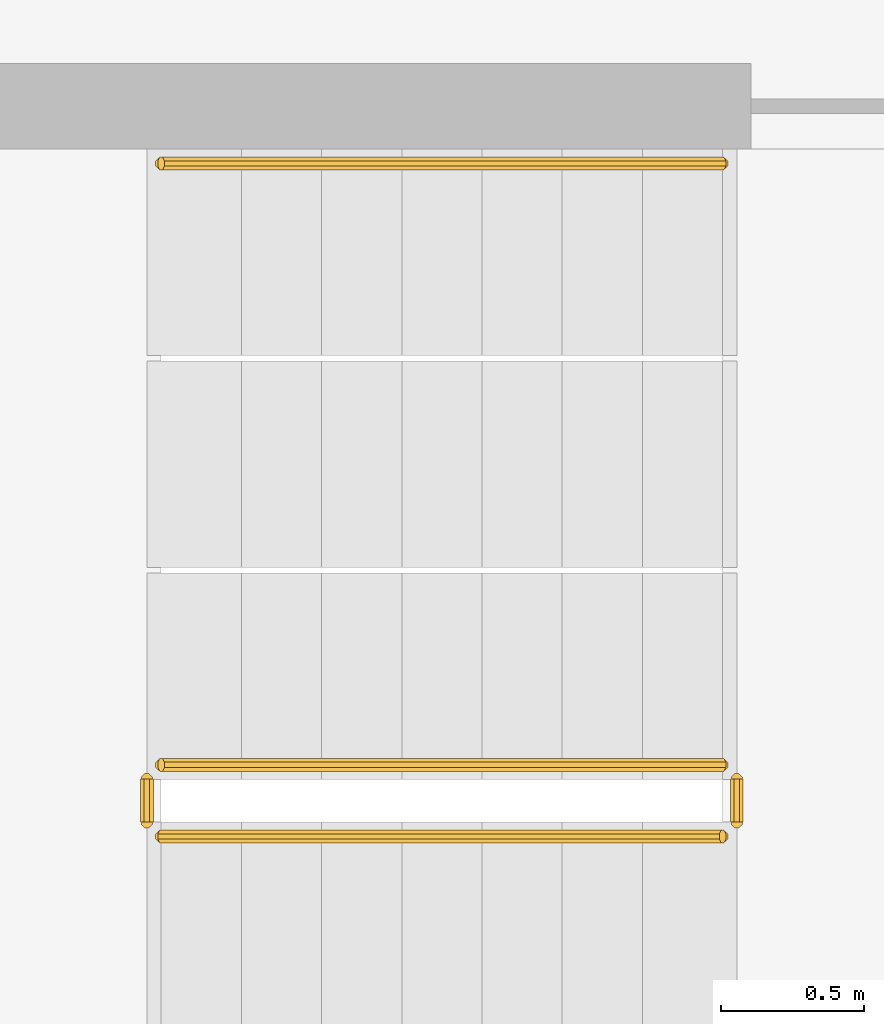
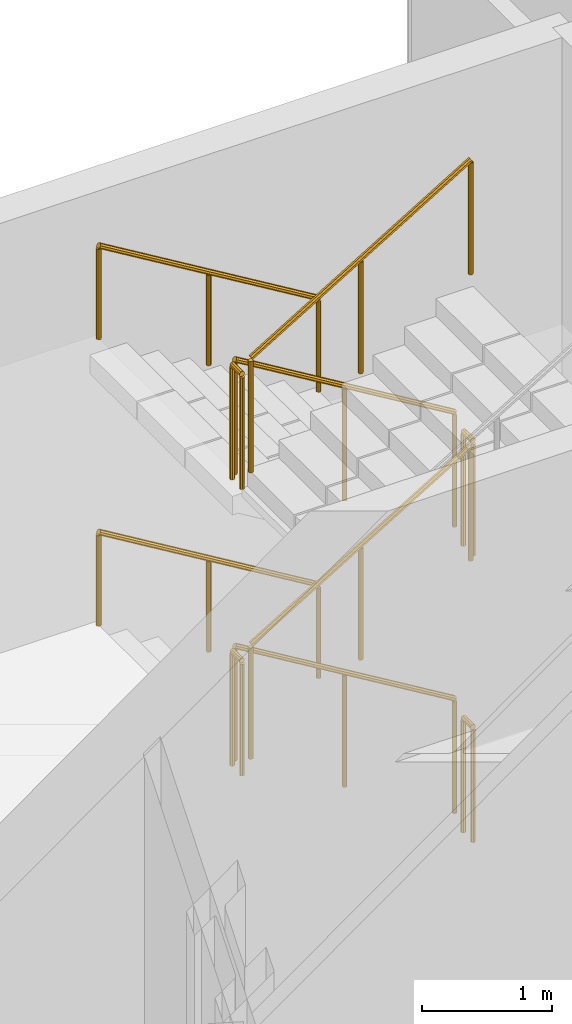
# One storey, part 21 of 31: 10 railings.
"""IFC4 building model written with IfcOpenShell, lengths in metres."""

from ifc_helpers import new_model, si_unit, direction, frame, origin, place, context, subcontext, project, spatial, polyline, outline, extrude, material, type_object, element, save


model = new_model("IFC4")

# Units and contexts
model_context = context("Model", 3, precision=1e-05, world=origin(), true_north=direction((0.0, 1.0)))
body_context = subcontext(model_context, "Body", "Model", "MODEL_VIEW")
ifc_project = project(units=[si_unit("LENGTHUNIT", "METRE"), si_unit("AREAUNIT", "SQUARE_METRE"), si_unit("VOLUMEUNIT", "CUBIC_METRE"), si_unit("PLANEANGLEUNIT", "RADIAN"), si_unit("MASSUNIT", "GRAM", prefix="KILO")], contexts=[model_context])

# Site, building, storey
site_placement = place(None, origin())
site = spatial("IfcSite", under=ifc_project, at=site_placement, CompositionType="ELEMENT")
building_placement = place(site_placement, origin())
building = spatial("IfcBuilding", under=site, at=building_placement, Name="Cormorant Relay Tower", CompositionType="ELEMENT")
storey_placement = place(building_placement, frame((0.0, 0.0, 33.800048828125)))
storey = spatial("IfcBuildingStorey", under=building, at=storey_placement, Name="L06", CompositionType="ELEMENT", Elevation=33.800048828125)

# Railings
ifc_material_1 = material(Name="Steel ASTM A572 Grade 50 (Fy 345 MPa)", Category="steel")
railing_type_1 = type_object("IfcRailingType", Name="Stair guard 1100", PredefinedType="GUARDRAIL", material=ifc_material_1)
railing_1_placement = place(storey_placement, frame((1.60009765625, -18.27490234375, 0.168701171875)))
element("IfcRailing", 1, at=railing_1_placement, inside=storey, type_object=railing_type_1, Name="L06 RK1 stair guard 1", PredefinedType="GUARDRAIL", context=body_context, shape_type="SweptSolid", body=[
    extrude(outline(polyline([(0.022216796875, 0.00927734375), (0.00927734375, 0.022216796875), (-0.00927734375, 0.022216796875), (-0.022216796875, 0.00927734375), (-0.022216796875, -0.00927734375), (-0.00927734375, -0.022216796875), (0.00927734375, -0.022216796875), (0.022216796875, -0.00927734375), (0.022216796875, 0.00927734375)])), frame((0.0, 0.0, 1.076171875), z_axis=(-0.856521883693, 0.0, 0.516110707847), x_axis=(0.0, -1.0, 0.0)), (0.0, 0.0, 1.0), 2.28857421875),
    extrude(outline(polyline([(0.019287109375, 0.008056640625), (0.008056640625, 0.019287109375), (-0.008056640625, 0.019287109375), (-0.019287109375, 0.008056640625), (-0.019287109375, -0.008056640625), (-0.008056640625, -0.019287109375), (0.008056640625, -0.019287109375), (0.019287109375, -0.008056640625), (0.019287109375, 0.008056640625)])), origin(), (0.0, 0.0, 1.0), 1.052001953125),
    extrude(outline(polyline([(0.019287109375, 0.008056640625), (0.008056640625, 0.019287109375), (-0.008056640625, 0.019287109375), (-0.019287109375, 0.008056640625), (-0.019287109375, -0.008056640625), (-0.008056640625, -0.019287109375), (0.008056640625, -0.019287109375), (0.019287109375, -0.008056640625), (0.019287109375, 0.008056640625)])), frame((-0.97998046875, 0.0, 0.590576171875)), (0.0, 0.0, 1.0), 1.052001953125),
    extrude(outline(polyline([(0.019287109375, 0.008056640625), (0.008056640625, 0.019287109375), (-0.008056640625, 0.019287109375), (-0.019287109375, 0.008056640625), (-0.019287109375, -0.008056640625), (-0.008056640625, -0.019287109375), (0.008056640625, -0.019287109375), (0.019287109375, -0.008056640625), (0.019287109375, 0.008056640625)])), frame((-1.960205078125, 0.0, 1.18115234375)), (0.0, 0.0, 1.0), 1.052001953125),
])
railing_2_placement = place(storey_placement, frame((-0.409912109375, -18.324951171875, 1.349853515625)))
element("IfcRailing", 2, at=railing_2_placement, inside=storey, type_object=railing_type_1, Name="L06 RK1 stair guard 2", PredefinedType="GUARDRAIL", context=body_context, shape_type="SweptSolid", body=[
    extrude(outline(polyline([(0.022216796875, 0.00927734375), (0.00927734375, 0.022216796875), (-0.00927734375, 0.022216796875), (-0.022216796875, 0.00927734375), (-0.022216796875, -0.00927734375), (-0.00927734375, -0.022216796875), (0.00927734375, -0.022216796875), (0.022216796875, -0.00927734375), (0.022216796875, 0.00927734375)])), frame((0.0, 0.0, 1.076171875), z_axis=(0.0, -1.0, 0.0), x_axis=(1.0, 0.0, 0.0)), (0.0, 0.0, 1.0), 0.150146484375),
    extrude(outline(polyline([(0.019287109375, 0.008056640625), (0.008056640625, 0.019287109375), (-0.008056640625, 0.019287109375), (-0.019287109375, 0.008056640625), (-0.019287109375, -0.008056640625), (-0.008056640625, -0.019287109375), (0.008056640625, -0.019287109375), (0.019287109375, -0.008056640625), (0.019287109375, 0.008056640625)])), origin(), (0.0, 0.0, 1.0), 1.052001953125),
    extrude(outline(polyline([(0.019287109375, 0.008056640625), (0.008056640625, 0.019287109375), (-0.008056640625, 0.019287109375), (-0.019287109375, 0.008056640625), (-0.019287109375, -0.008056640625), (-0.008056640625, -0.019287109375), (0.008056640625, -0.019287109375), (0.019287109375, -0.008056640625), (0.019287109375, 0.008056640625)])), frame((0.0, -0.150146484375, 0.0)), (0.0, 0.0, 1.0), 1.052001953125),
])
railing_3_placement = place(storey_placement, frame((-0.360107421875, -18.52490234375, 1.518798828125)))
element("IfcRailing", 3, at=railing_3_placement, inside=storey, type_object=railing_type_1, Name="L06 RK1 stair guard 3", PredefinedType="GUARDRAIL", context=body_context, shape_type="SweptSolid", body=[
    extrude(outline(polyline([(0.022216796875, 0.00927734375), (0.00927734375, 0.022216796875), (-0.00927734375, 0.022216796875), (-0.022216796875, 0.00927734375), (-0.022216796875, -0.00927734375), (-0.00927734375, -0.022216796875), (0.00927734375, -0.022216796875), (0.022216796875, -0.00927734375), (0.022216796875, 0.00927734375)])), frame((0.0, 0.0, 1.076171875), z_axis=(0.856521883693, 0.0, 0.516110707847), x_axis=(0.0, 1.0, 0.0)), (0.0, 0.0, 1.0), 2.28857421875),
    extrude(outline(polyline([(0.019287109375, 0.008056640625), (0.008056640625, 0.019287109375), (-0.008056640625, 0.019287109375), (-0.019287109375, 0.008056640625), (-0.019287109375, -0.008056640625), (-0.008056640625, -0.019287109375), (0.008056640625, -0.019287109375), (0.019287109375, -0.008056640625), (0.019287109375, 0.008056640625)])), origin(), (0.0, 0.0, 1.0), 1.052001953125),
    extrude(outline(polyline([(0.019287109375, 0.008056640625), (0.008056640625, 0.019287109375), (-0.008056640625, 0.019287109375), (-0.019287109375, 0.008056640625), (-0.019287109375, -0.008056640625), (-0.008056640625, -0.019287109375), (0.008056640625, -0.019287109375), (0.019287109375, -0.008056640625), (0.019287109375, 0.008056640625)])), frame((0.97998046875, 0.0, 0.590576171875)), (0.0, 0.0, 1.0), 1.052001953125),
    extrude(outline(polyline([(0.019287109375, 0.008056640625), (0.008056640625, 0.019287109375), (-0.008056640625, 0.019287109375), (-0.019287109375, 0.008056640625), (-0.019287109375, -0.008056640625), (-0.008056640625, -0.019287109375), (0.008056640625, -0.019287109375), (0.019287109375, -0.008056640625), (0.019287109375, 0.008056640625)])), frame((1.960205078125, 0.0, 1.18115234375)), (0.0, 0.0, 1.0), 1.052001953125),
])
railing_4_placement = place(storey_placement, frame((1.64990234375, -18.324951171875, 2.699951171875)))
element("IfcRailing", 4, at=railing_4_placement, inside=storey, type_object=railing_type_1, Name="L06 RK1 stair guard 4", PredefinedType="GUARDRAIL", context=body_context, shape_type="SweptSolid", body=[
    extrude(outline(polyline([(0.022216796875, 0.00927734375), (0.00927734375, 0.022216796875), (-0.00927734375, 0.022216796875), (-0.022216796875, 0.00927734375), (-0.022216796875, -0.00927734375), (-0.00927734375, -0.022216796875), (0.00927734375, -0.022216796875), (0.022216796875, -0.00927734375), (0.022216796875, 0.00927734375)])), frame((0.0, 0.0, 1.076171875), z_axis=(0.0, -1.0, 0.0), x_axis=(1.0, 0.0, 0.0)), (0.0, 0.0, 1.0), 0.150146484375),
    extrude(outline(polyline([(0.019287109375, 0.008056640625), (0.008056640625, 0.019287109375), (-0.008056640625, 0.019287109375), (-0.019287109375, 0.008056640625), (-0.019287109375, -0.008056640625), (-0.008056640625, -0.019287109375), (0.008056640625, -0.019287109375), (0.019287109375, -0.008056640625), (0.019287109375, 0.008056640625)])), origin(), (0.0, 0.0, 1.0), 1.052001953125),
    extrude(outline(polyline([(0.019287109375, 0.008056640625), (0.008056640625, 0.019287109375), (-0.008056640625, 0.019287109375), (-0.019287109375, 0.008056640625), (-0.019287109375, -0.008056640625), (-0.008056640625, -0.019287109375), (0.008056640625, -0.019287109375), (0.019287109375, -0.008056640625), (0.019287109375, 0.008056640625)])), frame((0.0, -0.150146484375, 0.0)), (0.0, 0.0, 1.0), 1.052001953125),
])
railing_5_placement = place(storey_placement, frame((1.60009765625, -18.27490234375, 2.86865234375)))
element("IfcRailing", 5, at=railing_5_placement, inside=storey, type_object=railing_type_1, Name="L06 RK1 stair guard 5", PredefinedType="GUARDRAIL", context=body_context, shape_type="SweptSolid", body=[
    extrude(outline(polyline([(0.022216796875, 0.00927734375), (0.00927734375, 0.022216796875), (-0.00927734375, 0.022216796875), (-0.022216796875, 0.00927734375), (-0.022216796875, -0.00927734375), (-0.00927734375, -0.022216796875), (0.00927734375, -0.022216796875), (0.022216796875, -0.00927734375), (0.022216796875, 0.00927734375)])), frame((0.0, 0.0, 1.076171875), z_axis=(-0.856474724393, 0.0, 0.516188963923), x_axis=(0.0, -1.0, 0.0)), (0.0, 0.0, 1.0), 2.28857421875),
    extrude(outline(polyline([(0.019287109375, 0.008056640625), (0.008056640625, 0.019287109375), (-0.008056640625, 0.019287109375), (-0.019287109375, 0.008056640625), (-0.019287109375, -0.008056640625), (-0.008056640625, -0.019287109375), (0.008056640625, -0.019287109375), (0.019287109375, -0.008056640625), (0.019287109375, 0.008056640625)])), origin(), (0.0, 0.0, 1.0), 1.052001953125),
    extrude(outline(polyline([(0.019287109375, 0.008056640625), (0.008056640625, 0.019287109375), (-0.008056640625, 0.019287109375), (-0.019287109375, 0.008056640625), (-0.019287109375, -0.008056640625), (-0.008056640625, -0.019287109375), (0.008056640625, -0.019287109375), (0.019287109375, -0.008056640625), (0.019287109375, 0.008056640625)])), frame((-0.97998046875, 0.0, 0.5908203125)), (0.0, 0.0, 1.0), 1.052001953125),
    extrude(outline(polyline([(0.019287109375, 0.008056640625), (0.008056640625, 0.019287109375), (-0.008056640625, 0.019287109375), (-0.019287109375, 0.008056640625), (-0.019287109375, -0.008056640625), (-0.008056640625, -0.019287109375), (0.008056640625, -0.019287109375), (0.019287109375, -0.008056640625), (0.019287109375, 0.008056640625)])), frame((-1.960205078125, 0.0, 1.181396484375)), (0.0, 0.0, 1.0), 1.052001953125),
])
railing_6_placement = place(storey_placement, frame((-0.409912109375, -18.324951171875, 4.050048828125)))
element("IfcRailing", 6, at=railing_6_placement, inside=storey, type_object=railing_type_1, Name="L06 RK1 stair guard 6", PredefinedType="GUARDRAIL", context=body_context, shape_type="SweptSolid", body=[
    extrude(outline(polyline([(0.022216796875, 0.00927734375), (0.00927734375, 0.022216796875), (-0.00927734375, 0.022216796875), (-0.022216796875, 0.00927734375), (-0.022216796875, -0.00927734375), (-0.00927734375, -0.022216796875), (0.00927734375, -0.022216796875), (0.022216796875, -0.00927734375), (0.022216796875, 0.00927734375)])), frame((0.0, 0.0, 1.076171875), z_axis=(0.0, -1.0, 0.0), x_axis=(1.0, 0.0, 0.0)), (0.0, 0.0, 1.0), 0.150146484375),
    extrude(outline(polyline([(0.019287109375, 0.008056640625), (0.008056640625, 0.019287109375), (-0.008056640625, 0.019287109375), (-0.019287109375, 0.008056640625), (-0.019287109375, -0.008056640625), (-0.008056640625, -0.019287109375), (0.008056640625, -0.019287109375), (0.019287109375, -0.008056640625), (0.019287109375, 0.008056640625)])), origin(), (0.0, 0.0, 1.0), 1.052001953125),
    extrude(outline(polyline([(0.019287109375, 0.008056640625), (0.008056640625, 0.019287109375), (-0.008056640625, 0.019287109375), (-0.019287109375, 0.008056640625), (-0.019287109375, -0.008056640625), (-0.008056640625, -0.019287109375), (0.008056640625, -0.019287109375), (0.019287109375, -0.008056640625), (0.019287109375, 0.008056640625)])), frame((0.0, -0.150146484375, 0.0)), (0.0, 0.0, 1.0), 1.052001953125),
])
railing_7_placement = place(storey_placement, frame((-0.360107421875, -18.52490234375, 4.21875)))
element("IfcRailing", 7, at=railing_7_placement, inside=storey, type_object=railing_type_1, Name="L06 RK1 stair guard 7", PredefinedType="GUARDRAIL", context=body_context, shape_type="SweptSolid", body=[
    extrude(outline(polyline([(0.022216796875, 0.00927734375), (0.00927734375, 0.022216796875), (-0.00927734375, 0.022216796875), (-0.022216796875, 0.00927734375), (-0.022216796875, -0.00927734375), (-0.00927734375, -0.022216796875), (0.00927734375, -0.022216796875), (0.022216796875, -0.00927734375), (0.022216796875, 0.00927734375)])), frame((0.0, 0.0, 1.076171875), z_axis=(0.856521883693, 0.0, 0.516110707847), x_axis=(0.0, 1.0, 0.0)), (0.0, 0.0, 1.0), 2.28857421875),
    extrude(outline(polyline([(0.019287109375, 0.008056640625), (0.008056640625, 0.019287109375), (-0.008056640625, 0.019287109375), (-0.019287109375, 0.008056640625), (-0.019287109375, -0.008056640625), (-0.008056640625, -0.019287109375), (0.008056640625, -0.019287109375), (0.019287109375, -0.008056640625), (0.019287109375, 0.008056640625)])), origin(), (0.0, 0.0, 1.0), 1.052001953125),
    extrude(outline(polyline([(0.019287109375, 0.008056640625), (0.008056640625, 0.019287109375), (-0.008056640625, 0.019287109375), (-0.019287109375, 0.008056640625), (-0.019287109375, -0.008056640625), (-0.008056640625, -0.019287109375), (0.008056640625, -0.019287109375), (0.019287109375, -0.008056640625), (0.019287109375, 0.008056640625)])), frame((0.97998046875, 0.0, 0.590576171875)), (0.0, 0.0, 1.0), 1.052001953125),
    extrude(outline(polyline([(0.019287109375, 0.008056640625), (0.008056640625, 0.019287109375), (-0.008056640625, 0.019287109375), (-0.019287109375, 0.008056640625), (-0.019287109375, -0.008056640625), (-0.008056640625, -0.019287109375), (0.008056640625, -0.019287109375), (0.019287109375, -0.008056640625), (0.019287109375, 0.008056640625)])), frame((1.960205078125, 0.0, 1.18115234375)), (0.0, 0.0, 1.0), 1.052001953125),
])
railing_8_placement = place(storey_placement, frame((1.64990234375, -18.324951171875, 0.0)))
element("IfcRailing", 8, at=railing_8_placement, inside=storey, type_object=railing_type_1, Name="L06 RK1 stair guard 8", PredefinedType="GUARDRAIL", context=body_context, shape_type="SweptSolid", body=[
    extrude(outline(polyline([(0.022216796875, 0.00927734375), (0.00927734375, 0.022216796875), (-0.00927734375, 0.022216796875), (-0.022216796875, 0.00927734375), (-0.022216796875, -0.00927734375), (-0.00927734375, -0.022216796875), (0.00927734375, -0.022216796875), (0.022216796875, -0.00927734375), (0.022216796875, 0.00927734375)])), frame((0.0, 0.0, 1.076171875), z_axis=(0.0, -1.0, 0.0), x_axis=(1.0, 0.0, 0.0)), (0.0, 0.0, 1.0), 0.150146484375),
    extrude(outline(polyline([(0.019287109375, 0.008056640625), (0.008056640625, 0.019287109375), (-0.008056640625, 0.019287109375), (-0.019287109375, 0.008056640625), (-0.019287109375, -0.008056640625), (-0.008056640625, -0.019287109375), (0.008056640625, -0.019287109375), (0.019287109375, -0.008056640625), (0.019287109375, 0.008056640625)])), origin(), (0.0, 0.0, 1.0), 1.052001953125),
    extrude(outline(polyline([(0.019287109375, 0.008056640625), (0.008056640625, 0.019287109375), (-0.008056640625, 0.019287109375), (-0.019287109375, 0.008056640625), (-0.019287109375, -0.008056640625), (-0.008056640625, -0.019287109375), (0.008056640625, -0.019287109375), (0.019287109375, -0.008056640625), (0.019287109375, 0.008056640625)])), frame((0.0, -0.150146484375, 0.0)), (0.0, 0.0, 1.0), 1.052001953125),
])
ifc_material_2 = material(Name="Steel ASTM A572 Grade 50 (Fy 345 MPa)", Category="steel")
railing_type_2 = type_object("IfcRailingType", Name="Stair handrail 900", PredefinedType="HANDRAIL", material=ifc_material_2)
railing_9_placement = place(storey_placement, frame((1.60009765625, -16.175048828125, 0.168701171875)))
element("IfcRailing", 9, at=railing_9_placement, inside=storey, type_object=railing_type_2, Name="L06 RK1 stair handrail 1", PredefinedType="HANDRAIL", context=body_context, shape_type="SweptSolid", body=[
    extrude(outline(polyline([(0.022216796875, 0.00927734375), (0.00927734375, 0.022216796875), (-0.00927734375, 0.022216796875), (-0.022216796875, 0.00927734375), (-0.022216796875, -0.00927734375), (-0.00927734375, -0.022216796875), (0.00927734375, -0.022216796875), (0.022216796875, -0.00927734375), (0.022216796875, 0.00927734375)])), frame((0.0, 0.0, 0.8759765625), z_axis=(-0.856521883693, 0.0, 0.516110707847), x_axis=(0.0, -1.0, 0.0)), (0.0, 0.0, 1.0), 2.28857421875),
    extrude(outline(polyline([(0.019287109375, 0.008056640625), (0.008056640625, 0.019287109375), (-0.008056640625, 0.019287109375), (-0.019287109375, 0.008056640625), (-0.019287109375, -0.008056640625), (-0.008056640625, -0.019287109375), (0.008056640625, -0.019287109375), (0.019287109375, -0.008056640625), (0.019287109375, 0.008056640625)])), origin(), (0.0, 0.0, 1.0), 0.851806640625),
    extrude(outline(polyline([(0.019287109375, 0.008056640625), (0.008056640625, 0.019287109375), (-0.008056640625, 0.019287109375), (-0.019287109375, 0.008056640625), (-0.019287109375, -0.008056640625), (-0.008056640625, -0.019287109375), (0.008056640625, -0.019287109375), (0.019287109375, -0.008056640625), (0.019287109375, 0.008056640625)])), frame((-0.97998046875, 0.0, 0.590576171875)), (0.0, 0.0, 1.0), 0.851806640625),
    extrude(outline(polyline([(0.019287109375, 0.008056640625), (0.008056640625, 0.019287109375), (-0.008056640625, 0.019287109375), (-0.019287109375, 0.008056640625), (-0.019287109375, -0.008056640625), (-0.008056640625, -0.019287109375), (0.008056640625, -0.019287109375), (0.019287109375, -0.008056640625), (0.019287109375, 0.008056640625)])), frame((-1.960205078125, 0.0, 1.18115234375)), (0.0, 0.0, 1.0), 0.851806640625),
])
railing_10_placement = place(storey_placement, frame((1.60009765625, -16.175048828125, 2.86865234375)))
element("IfcRailing", 10, at=railing_10_placement, inside=storey, type_object=railing_type_2, Name="L06 RK1 stair handrail 3", PredefinedType="HANDRAIL", context=body_context, shape_type="SweptSolid", body=[
    extrude(outline(polyline([(0.022216796875, 0.00927734375), (0.00927734375, 0.022216796875), (-0.00927734375, 0.022216796875), (-0.022216796875, 0.00927734375), (-0.022216796875, -0.00927734375), (-0.00927734375, -0.022216796875), (0.00927734375, -0.022216796875), (0.022216796875, -0.00927734375), (0.022216796875, 0.00927734375)])), frame((0.0, 0.0, 0.8759765625), z_axis=(-0.856474724393, 0.0, 0.516188963923), x_axis=(0.0, -1.0, 0.0)), (0.0, 0.0, 1.0), 2.28857421875),
    extrude(outline(polyline([(0.019287109375, 0.008056640625), (0.008056640625, 0.019287109375), (-0.008056640625, 0.019287109375), (-0.019287109375, 0.008056640625), (-0.019287109375, -0.008056640625), (-0.008056640625, -0.019287109375), (0.008056640625, -0.019287109375), (0.019287109375, -0.008056640625), (0.019287109375, 0.008056640625)])), origin(), (0.0, 0.0, 1.0), 0.851806640625),
    extrude(outline(polyline([(0.019287109375, 0.008056640625), (0.008056640625, 0.019287109375), (-0.008056640625, 0.019287109375), (-0.019287109375, 0.008056640625), (-0.019287109375, -0.008056640625), (-0.008056640625, -0.019287109375), (0.008056640625, -0.019287109375), (0.019287109375, -0.008056640625), (0.019287109375, 0.008056640625)])), frame((-0.97998046875, 0.0, 0.5908203125)), (0.0, 0.0, 1.0), 0.851806640625),
    extrude(outline(polyline([(0.019287109375, 0.008056640625), (0.008056640625, 0.019287109375), (-0.008056640625, 0.019287109375), (-0.019287109375, 0.008056640625), (-0.019287109375, -0.008056640625), (-0.008056640625, -0.019287109375), (0.008056640625, -0.019287109375), (0.019287109375, -0.008056640625), (0.019287109375, 0.008056640625)])), frame((-1.960205078125, 0.0, 1.181396484375)), (0.0, 0.0, 1.0), 0.851806640625),
])

save(model, "model.ifc")
